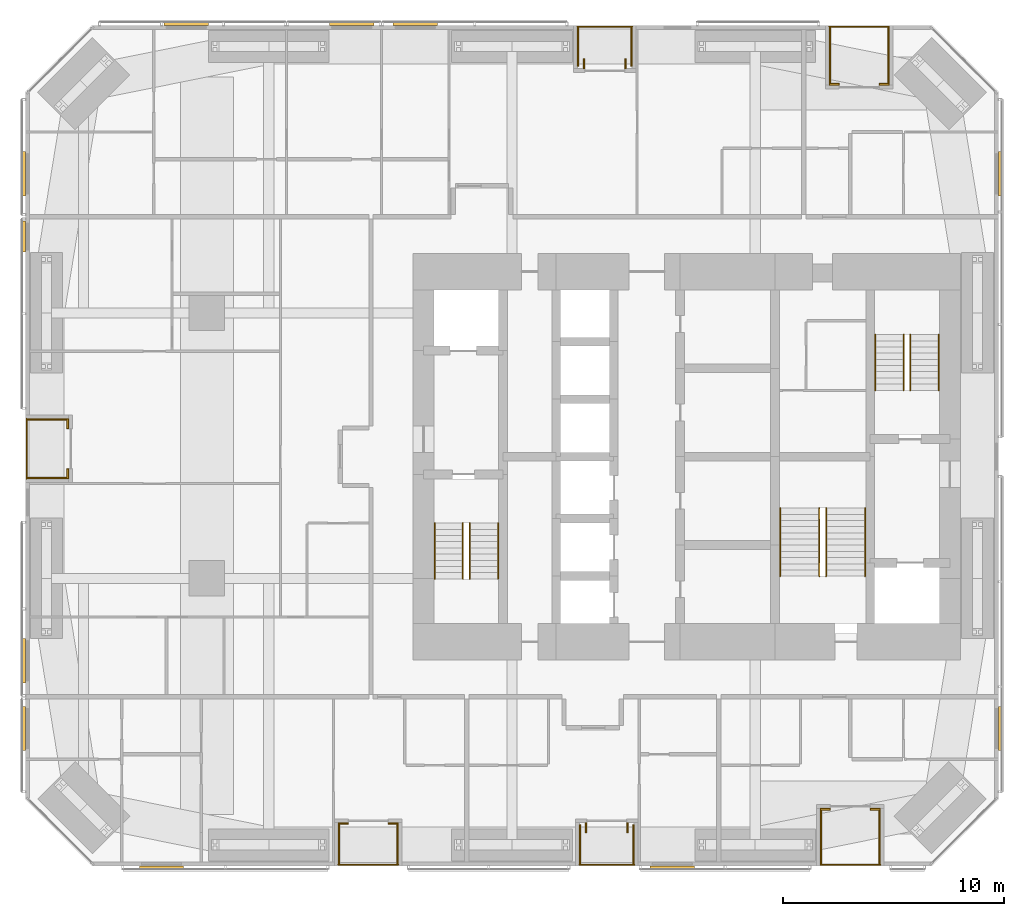
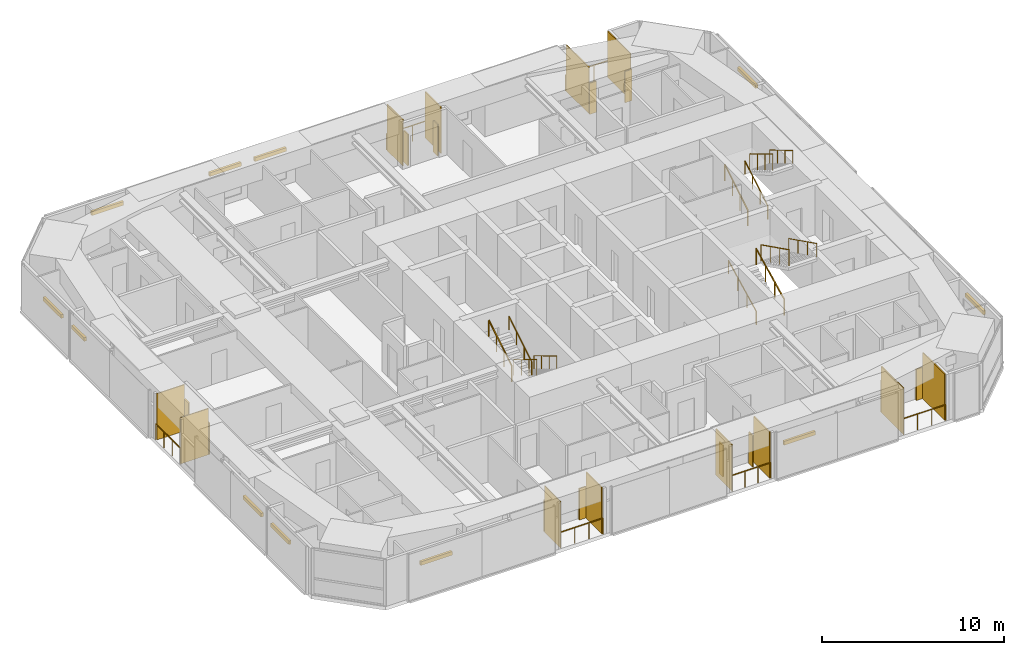
# One storey, part 23 of 23: 35 shading devices, 18 railings.
"""IFC4 building model written with IfcOpenShell, lengths in metres."""

from ifc_helpers import new_model, si_unit, direction, frame, origin, origin_2d, place, context, subcontext, project, spatial, rectangle, circle, extrude, material, layer, layer_set, constituent, constituent_set, type_object, element, save


model = new_model("IFC4")

# Units and contexts
model_context = context("Model", 3, precision=1e-05, world=origin(), true_north=direction((0.0, 1.0)))
body_context = subcontext(model_context, "Body", "Model", "MODEL_VIEW")
ifc_project = project(units=[si_unit("LENGTHUNIT", "METRE"), si_unit("AREAUNIT", "SQUARE_METRE"), si_unit("VOLUMEUNIT", "CUBIC_METRE"), si_unit("PLANEANGLEUNIT", "RADIAN"), si_unit("MASSUNIT", "GRAM", prefix="KILO")], contexts=[model_context])

# Site, building, storey
site_placement = place(None, origin())
site = spatial("IfcSite", under=ifc_project, at=site_placement, CompositionType="ELEMENT")
building_placement = place(site_placement, origin())
building = spatial("IfcBuilding", under=site, at=building_placement, Name="Jalousie Tower", CompositionType="ELEMENT")
storey_placement = place(building_placement, frame((0.0, 0.0, 27.699951171875)))
storey = spatial("IfcBuildingStorey", under=building, at=storey_placement, Name="L06", CompositionType="ELEMENT", Elevation=27.699951171875)

# Shading devices
ifc_material_1 = material(Name="Aluminium impact-rated louvred storm shutter", Category="aluminium")
shading_device_type_1 = type_object("IfcShadingDeviceType", Name="BI-FOLD STORM SHUTTER 900x2100", PredefinedType="SHUTTER", material=ifc_material_1)
for number, where, z_axis, x_axis, name in (
    (1, (16.375, 1.909912109375, 0.0), (0.0, 0.0, 1.0), (1.0, 0.0, 0.0), "Loggia storm shutter L06"),
    (2, (18.625, 1.909912109375, 0.0), (0.0, 0.0, 1.0), (1.0, 0.0, 0.0), "Loggia storm shutter L06"),
    (3, (27.347412109375, 1.72509765625, 0.0), (0.0, 0.0, 1.0), (0.0, 1.0, 0.0), "Loggia storm shutter L06"),
    (4, (29.2275390625, 1.72509765625, 0.0), (0.0, 0.0, 1.0), (0.0, 1.0, 0.0), "Loggia storm shutter L06"),
    (5, (38.175048828125, 2.56005859375, 0.0), (0.0, 0.0, 1.0), (1.0, 0.0, 0.0), "Loggia storm shutter L06"),
    (6, (40.425048828125, 2.56005859375, 0.0), (0.0, 0.0, 1.0), (1.0, 0.0, 0.0), "Loggia storm shutter L06"),
    (7, (40.82373046875, 35.340087890625, 0.0), (0.0, 0.0, 1.0), (-1.0, 0.0, 0.0), "Loggia storm shutter L06"),
    (8, (38.57373046875, 35.340087890625, 0.0), (0.0, 0.0, 1.0), (-1.0, 0.0, 0.0), "Loggia storm shutter L06"),
    (9, (29.1357421875, 36.27490234375, 0.0), (0.0, 0.0, 1.0), (0.0, -1.0, 0.0), "Loggia storm shutter L06"),
    (10, (27.255615234375, 36.27490234375, 0.0), (0.0, 0.0, 1.0), (0.0, -1.0, 0.0), "Loggia storm shutter L06"),
    (11, (3.909912109375, 19.987548828125, 0.0), (0.0, 0.0, 1.0), (0.0, -1.0, 0.0), "Loggia storm shutter L06"),
    (12, (3.909912109375, 17.737548828125, 0.0), (0.0, 0.0, 1.0), (0.0, -1.0, 0.0), "Loggia storm shutter L06"),
):
    element("IfcShadingDevice", number, at=place(storey_placement, frame(where, z_axis=z_axis, x_axis=x_axis)), inside=storey, type_object=shading_device_type_1, Name=name, PredefinedType="SHUTTER", context=body_context, shape_type="SweptSolid", body=[
        extrude(rectangle(XDim=0.449951171875, YDim=0.080078125, at=origin_2d()), origin(), (0.0, 0.0, 1.0), 2.10009765625),
    ])

# Railings
ifc_material_2 = material(Name="Powder-coated aluminium fretwork", Category="aluminium")
railing_type_1 = type_object("IfcRailingType", Name="FRETWORK BALUSTRADE 1100", PredefinedType="BALUSTRADE", material=ifc_material_2)
railing_1_placement = place(storey_placement, frame((16.14990234375, 0.050048828125, 0.0)))
element("IfcRailing", 13, at=railing_1_placement, inside=storey, type_object=railing_type_1, Name="Loggia fretwork balustrade L06", PredefinedType="BALUSTRADE", context=body_context, shape_type="SweptSolid", body=[
    extrude(rectangle(XDim=0.048095703125, YDim=0.048095703125, at=origin_2d()), frame((0.0, 0.0, 1.076171875), z_axis=(1.0, 0.0, 0.0), x_axis=(0.0, 1.0, 0.0)), (0.0, 0.0, 1.0), 2.7001953125),
    extrude(circle(Radius=0.02099609375, at=origin_2d()), origin(), (0.0, 0.0, 1.0), 1.052001953125),
    extrude(circle(Radius=0.02099609375, at=origin_2d()), frame((0.900146484375, 0.0, 0.0)), (0.0, 0.0, 1.0), 1.052001953125),
    extrude(circle(Radius=0.02099609375, at=origin_2d()), frame((1.800048828125, 0.0, 0.0)), (0.0, 0.0, 1.0), 1.052001953125),
    extrude(circle(Radius=0.02099609375, at=origin_2d()), frame((2.7001953125, 0.0, 0.0)), (0.0, 0.0, 1.0), 1.052001953125),
])
railing_2_placement = place(storey_placement, frame((27.050048828125, 0.050048828125, 0.0)))
element("IfcRailing", 14, at=railing_2_placement, inside=storey, type_object=railing_type_1, Name="Loggia fretwork balustrade L06", PredefinedType="BALUSTRADE", context=body_context, shape_type="SweptSolid", body=[
    extrude(rectangle(XDim=0.048095703125, YDim=0.048095703125, at=origin_2d()), frame((0.0, 0.0, 1.076171875), z_axis=(1.0, 0.0, 0.0), x_axis=(0.0, 1.0, 0.0)), (0.0, 0.0, 1.0), 2.474853515625),
    extrude(circle(Radius=0.02099609375, at=origin_2d()), origin(), (0.0, 0.0, 1.0), 1.052001953125),
    extrude(circle(Radius=0.02099609375, at=origin_2d()), frame((0.824951171875, 0.0, 0.0)), (0.0, 0.0, 1.0), 1.052001953125),
    extrude(circle(Radius=0.02099609375, at=origin_2d()), frame((1.64990234375, 0.0, 0.0)), (0.0, 0.0, 1.0), 1.052001953125),
    extrude(circle(Radius=0.02099609375, at=origin_2d()), frame((2.474853515625, 0.0, 0.0)), (0.0, 0.0, 1.0), 1.052001953125),
])
railing_3_placement = place(storey_placement, frame((37.949951171875, 0.050048828125, 0.0)))
element("IfcRailing", 15, at=railing_3_placement, inside=storey, type_object=railing_type_1, Name="Loggia fretwork balustrade L06", PredefinedType="BALUSTRADE", context=body_context, shape_type="SweptSolid", body=[
    extrude(rectangle(XDim=0.048095703125, YDim=0.048095703125, at=origin_2d()), frame((0.0, 0.0, 1.076171875), z_axis=(1.0, 0.0, 0.0), x_axis=(0.0, 1.0, 0.0)), (0.0, 0.0, 1.0), 2.699951171875),
    extrude(circle(Radius=0.02099609375, at=origin_2d()), origin(), (0.0, 0.0, 1.0), 1.052001953125),
    extrude(circle(Radius=0.02099609375, at=origin_2d()), frame((0.89990234375, 0.0, 0.0)), (0.0, 0.0, 1.0), 1.052001953125),
    extrude(circle(Radius=0.02099609375, at=origin_2d()), frame((1.800048828125, 0.0, 0.0)), (0.0, 0.0, 1.0), 1.052001953125),
    extrude(circle(Radius=0.02099609375, at=origin_2d()), frame((2.699951171875, 0.0, 0.0)), (0.0, 0.0, 1.0), 1.052001953125),
])
railing_4_placement = place(storey_placement, frame((41.048583984375, 37.949951171875, 0.0)))
element("IfcRailing", 16, at=railing_4_placement, inside=storey, type_object=railing_type_1, Name="Loggia fretwork balustrade L06", PredefinedType="BALUSTRADE", context=body_context, shape_type="SweptSolid", body=[
    extrude(rectangle(XDim=0.048095703125, YDim=0.048095703125, at=origin_2d()), frame((0.0, 0.0, 1.076171875), z_axis=(-1.0, 0.0, 0.0), x_axis=(0.0, -1.0, 0.0)), (0.0, 0.0, 1.0), 2.699951171875),
    extrude(circle(Radius=0.02099609375, at=origin_2d()), origin(), (0.0, 0.0, 1.0), 1.052001953125),
    extrude(circle(Radius=0.02099609375, at=origin_2d()), frame((-0.89990234375, 0.0, 0.0)), (0.0, 0.0, 1.0), 1.052001953125),
    extrude(circle(Radius=0.02099609375, at=origin_2d()), frame((-1.800048828125, 0.0, 0.0)), (0.0, 0.0, 1.0), 1.052001953125),
    extrude(circle(Radius=0.02099609375, at=origin_2d()), frame((-2.699951171875, 0.0, 0.0)), (0.0, 0.0, 1.0), 1.052001953125),
])
railing_5_placement = place(storey_placement, frame((29.43310546875, 37.949951171875, 0.0)))
element("IfcRailing", 17, at=railing_5_placement, inside=storey, type_object=railing_type_1, Name="Loggia fretwork balustrade L06", PredefinedType="BALUSTRADE", context=body_context, shape_type="SweptSolid", body=[
    extrude(rectangle(XDim=0.048095703125, YDim=0.048095703125, at=origin_2d()), frame((0.0, 0.0, 1.076171875), z_axis=(-1.0, 0.0, 0.0), x_axis=(0.0, -1.0, 0.0)), (0.0, 0.0, 1.0), 2.474853515625),
    extrude(circle(Radius=0.02099609375, at=origin_2d()), origin(), (0.0, 0.0, 1.0), 1.052001953125),
    extrude(circle(Radius=0.02099609375, at=origin_2d()), frame((-0.824951171875, 0.0, 0.0)), (0.0, 0.0, 1.0), 1.052001953125),
    extrude(circle(Radius=0.02099609375, at=origin_2d()), frame((-1.64990234375, 0.0, 0.0)), (0.0, 0.0, 1.0), 1.052001953125),
    extrude(circle(Radius=0.02099609375, at=origin_2d()), frame((-2.474853515625, 0.0, 0.0)), (0.0, 0.0, 1.0), 1.052001953125),
])
railing_6_placement = place(storey_placement, frame((2.050048828125, 20.216796875, 0.0)))
element("IfcRailing", 18, at=railing_6_placement, inside=storey, type_object=railing_type_1, Name="Loggia fretwork balustrade L06", PredefinedType="BALUSTRADE", context=body_context, shape_type="SweptSolid", body=[
    extrude(rectangle(XDim=0.048095703125, YDim=0.048095703125, at=origin_2d()), frame((0.0, 0.0, 1.076171875), z_axis=(0.0, -1.0, 0.0), x_axis=(1.0, 0.0, 0.0)), (0.0, 0.0, 1.0), 2.70849609375),
    extrude(circle(Radius=0.02099609375, at=origin_2d()), origin(), (0.0, 0.0, 1.0), 1.052001953125),
    extrude(circle(Radius=0.02099609375, at=origin_2d()), frame((0.0, -0.90283203125, 0.0)), (0.0, 0.0, 1.0), 1.052001953125),
    extrude(circle(Radius=0.02099609375, at=origin_2d()), frame((0.0, -1.8056640625, 0.0)), (0.0, 0.0, 1.0), 1.052001953125),
    extrude(circle(Radius=0.02099609375, at=origin_2d()), frame((0.0, -2.70849609375, 0.0)), (0.0, 0.0, 1.0), 1.052001953125),
])

# Shading devices
ifc_material_3 = material(Name="Powder-coated aluminium louvres", Category="aluminium")
ifc_layer = layer(ifc_material_3, 0.06005859375)
ifc_layer_set = layer_set([ifc_layer], Name="Powder-coated aluminium louvres")
shading_device_type_2 = type_object("IfcShadingDeviceType", Name="JALOUSIE LOUVRE SCREEN", PredefinedType="JALOUSIE", material=ifc_layer_set)
for number, where, z_axis, x_axis, name in (
    (19, (16.179931640625, 0.97509765625, 0.0), (0.0, 0.0, 1.0), (1.0, 0.0, 0.0), "Loggia jalousie louvre screen L06"),
    (20, (18.820068359375, 0.97509765625, 0.0), (0.0, 0.0, 1.0), (1.0, 0.0, 0.0), "Loggia jalousie louvre screen L06"),
    (21, (27.080078125, 0.97509765625, 0.0), (0.0, 0.0, 1.0), (1.0, 0.0, 0.0), "Loggia jalousie louvre screen L06"),
    (22, (29.4951171875, 0.97509765625, 0.0), (0.0, 0.0, 1.0), (1.0, 0.0, 0.0), "Loggia jalousie louvre screen L06"),
):
    element("IfcShadingDevice", number, at=place(storey_placement, frame(where, z_axis=z_axis, x_axis=x_axis)), inside=storey, type_object=shading_device_type_2, Name=name, PredefinedType="JALOUSIE", context=body_context, shape_type="SweptSolid", body=[
        extrude(rectangle(XDim=0.06005859375, YDim=1.75, at=origin_2d()), origin(), (0.0, 0.0, 1.0), 3.110107421875),
    ])
for number, where, z_axis, x_axis, name in (
    (23, (37.97998046875, 1.300048828125, 0.0), (0.0, 0.0, 1.0), (1.0, 0.0, 0.0), "Loggia jalousie louvre screen L06"),
    (24, (40.6201171875, 1.300048828125, 0.0), (0.0, 0.0, 1.0), (1.0, 0.0, 0.0), "Loggia jalousie louvre screen L06"),
):
    element("IfcShadingDevice", number, at=place(storey_placement, frame(where, z_axis=z_axis, x_axis=x_axis)), inside=storey, type_object=shading_device_type_2, Name=name, PredefinedType="JALOUSIE", context=body_context, shape_type="SweptSolid", body=[
        extrude(rectangle(XDim=0.06005859375, YDim=2.39990234375, at=origin_2d()), origin(), (0.0, 0.0, 1.0), 3.110107421875),
    ])
for number, where, z_axis, x_axis, name in (
    (25, (41.018798828125, 36.64990234375, 0.0), (0.0, 0.0, 1.0), (-1.0, 0.0, 0.0), "Loggia jalousie louvre screen L06"),
    (26, (38.378662109375, 36.64990234375, 0.0), (0.0, 0.0, 1.0), (-1.0, 0.0, 0.0), "Loggia jalousie louvre screen L06"),
):
    element("IfcShadingDevice", number, at=place(storey_placement, frame(where, z_axis=z_axis, x_axis=x_axis)), inside=storey, type_object=shading_device_type_2, Name=name, PredefinedType="JALOUSIE", context=body_context, shape_type="SweptSolid", body=[
        extrude(rectangle(XDim=0.06005859375, YDim=2.5, at=origin_2d()), origin(), (0.0, 0.0, 1.0), 3.110107421875),
    ])
for number, where, z_axis, x_axis, name in (
    (27, (29.4033203125, 37.02490234375, 0.0), (0.0, 0.0, 1.0), (-1.0, 0.0, 0.0), "Loggia jalousie louvre screen L06"),
    (28, (26.98828125, 37.02490234375, 0.0), (0.0, 0.0, 1.0), (-1.0, 0.0, 0.0), "Loggia jalousie louvre screen L06"),
    (29, (2.97509765625, 20.186767578125, 0.0), (0.0, 0.0, 1.0), (0.0, -1.0, 0.0), "Loggia jalousie louvre screen L06"),
    (30, (2.97509765625, 17.538330078125, 0.0), (0.0, 0.0, 1.0), (0.0, -1.0, 0.0), "Loggia jalousie louvre screen L06"),
):
    element("IfcShadingDevice", number, at=place(storey_placement, frame(where, z_axis=z_axis, x_axis=x_axis)), inside=storey, type_object=shading_device_type_2, Name=name, PredefinedType="JALOUSIE", context=body_context, shape_type="SweptSolid", body=[
        extrude(rectangle(XDim=0.06005859375, YDim=1.75, at=origin_2d()), origin(), (0.0, 0.0, 1.0), 3.110107421875),
    ])

# Railings
ifc_material_4 = material(Name="Steel ASTM A500 Grade C", Category="steel")
ifc_constituent_1 = constituent(ifc_material_4, Name="Body")
ifc_material_5 = material(Name="Hot-dip galvanised zinc coating")
ifc_constituent_2 = constituent(ifc_material_5, Name="Finish")
ifc_constituent_set_1 = constituent_set(constituents=[ifc_constituent_1, ifc_constituent_2])
railing_type_2 = type_object("IfcRailingType", Name="STAIR GUARD 1100", PredefinedType="GUARDRAIL", material=ifc_constituent_set_1)
railing_7_placement = place(storey_placement, frame((22.092529296875, 15.49755859375, 0.16748046875)))
element("IfcRailing", 31, at=railing_7_placement, inside=storey, type_object=railing_type_2, Name="Exit stair A guard L06 flight 1", PredefinedType="GUARDRAIL", context=body_context, shape_type="SweptSolid", body=[
    extrude(rectangle(XDim=0.048095703125, YDim=0.048095703125, at=origin_2d()), frame((0.0, 0.0, 1.076171875), z_axis=(0.0, -0.858159760407, 0.513382728203), x_axis=(1.0, 0.0, 0.0)), (0.0, 0.0, 1.0), 2.9365234375),
    extrude(circle(Radius=0.02099609375, at=origin_2d()), origin(), (0.0, 0.0, 1.0), 1.052001953125),
    extrude(circle(Radius=0.02099609375, at=origin_2d()), frame((0.0, -0.840087890625, 0.50244140625)), (0.0, 0.0, 1.0), 1.052001953125),
    extrude(circle(Radius=0.02099609375, at=origin_2d()), frame((0.0, -1.679931640625, 1.005126953125)), (0.0, 0.0, 1.0), 1.052001953125),
    extrude(circle(Radius=0.02099609375, at=origin_2d()), frame((0.0, -2.52001953125, 1.507568359375)), (0.0, 0.0, 1.0), 1.052001953125),
])
for number, where, name in (
    (32, (20.5048828125, 12.9775390625, 1.842529296875), "Exit stair A guard L06 flight 2"),
    (33, (40.43017578125, 21.50244140625, 0.16748046875), "Exit stair B guard L06 flight 1"),
):
    element("IfcRailing", number, at=place(storey_placement, frame(where)), inside=storey, type_object=railing_type_2, Name=name, PredefinedType="GUARDRAIL", context=body_context, shape_type="SweptSolid", body=[
        extrude(rectangle(XDim=0.048095703125, YDim=0.048095703125, at=origin_2d()), frame((0.0, 0.0, 1.076171875), z_axis=(0.0, 0.858159760407, 0.513382728203), x_axis=(-1.0, 0.0, 0.0)), (0.0, 0.0, 1.0), 2.9365234375),
        extrude(circle(Radius=0.02099609375, at=origin_2d()), origin(), (0.0, 0.0, 1.0), 1.052001953125),
        extrude(circle(Radius=0.02099609375, at=origin_2d()), frame((0.0, 0.840087890625, 0.50244140625)), (0.0, 0.0, 1.0), 1.052001953125),
        extrude(circle(Radius=0.02099609375, at=origin_2d()), frame((0.0, 1.679931640625, 1.005126953125)), (0.0, 0.0, 1.0), 1.052001953125),
        extrude(circle(Radius=0.02099609375, at=origin_2d()), frame((0.0, 2.52001953125, 1.507568359375)), (0.0, 0.0, 1.0), 1.052001953125),
    ])
railing_8_placement = place(storey_placement, frame((42.017578125, 24.0224609375, 1.842529296875)))
element("IfcRailing", 34, at=railing_8_placement, inside=storey, type_object=railing_type_2, Name="Exit stair B guard L06 flight 2", PredefinedType="GUARDRAIL", context=body_context, shape_type="SweptSolid", body=[
    extrude(rectangle(XDim=0.048095703125, YDim=0.048095703125, at=origin_2d()), frame((0.0, 0.0, 1.076171875), z_axis=(0.0, -0.858159760407, 0.513382728203), x_axis=(1.0, 0.0, 0.0)), (0.0, 0.0, 1.0), 2.9365234375),
    extrude(circle(Radius=0.02099609375, at=origin_2d()), origin(), (0.0, 0.0, 1.0), 1.052001953125),
    extrude(circle(Radius=0.02099609375, at=origin_2d()), frame((0.0, -0.840087890625, 0.50244140625)), (0.0, 0.0, 1.0), 1.052001953125),
    extrude(circle(Radius=0.02099609375, at=origin_2d()), frame((0.0, -1.679931640625, 1.005126953125)), (0.0, 0.0, 1.0), 1.052001953125),
    extrude(circle(Radius=0.02099609375, at=origin_2d()), frame((0.0, -2.52001953125, 1.507568359375)), (0.0, 0.0, 1.0), 1.052001953125),
])
railing_9_placement = place(storey_placement, frame((37.89501953125, 13.097412109375, 0.1396484375)))
element("IfcRailing", 35, at=railing_9_placement, inside=storey, type_object=railing_type_2, Name="Exit stair C guard L06 flight 1", PredefinedType="GUARDRAIL", context=body_context, shape_type="SweptSolid", body=[
    extrude(rectangle(XDim=0.048095703125, YDim=0.048095703125, at=origin_2d()), frame((0.0, 0.0, 1.076171875), z_axis=(0.0, 0.894965676997, 0.446134998624), x_axis=(-1.0, 0.0, 0.0)), (0.0, 0.0, 1.0), 3.441650390625),
    extrude(circle(Radius=0.02099609375, at=origin_2d()), origin(), (0.0, 0.0, 1.0), 1.052001953125),
    extrude(circle(Radius=0.02099609375, at=origin_2d()), frame((0.0, 1.026611328125, 0.51171875)), (0.0, 0.0, 1.0), 1.052001953125),
    extrude(circle(Radius=0.02099609375, at=origin_2d()), frame((0.0, 2.053466796875, 1.023681640625)), (0.0, 0.0, 1.0), 1.052001953125),
    extrude(circle(Radius=0.02099609375, at=origin_2d()), frame((0.0, 3.080078125, 1.535400390625)), (0.0, 0.0, 1.0), 1.052001953125),
])
railing_10_placement = place(storey_placement, frame((38.205078125, 16.177490234375, 1.814697265625)))
element("IfcRailing", 36, at=railing_10_placement, inside=storey, type_object=railing_type_2, Name="Exit stair C guard L06 flight 2", PredefinedType="GUARDRAIL", context=body_context, shape_type="SweptSolid", body=[
    extrude(rectangle(XDim=0.048095703125, YDim=0.048095703125, at=origin_2d()), frame((0.0, 0.0, 1.076171875), z_axis=(0.0, -0.894965676997, 0.446134998624), x_axis=(1.0, 0.0, 0.0)), (0.0, 0.0, 1.0), 3.441650390625),
    extrude(circle(Radius=0.02099609375, at=origin_2d()), origin(), (0.0, 0.0, 1.0), 1.052001953125),
    extrude(circle(Radius=0.02099609375, at=origin_2d()), frame((0.0, -1.026611328125, 0.51171875)), (0.0, 0.0, 1.0), 1.052001953125),
    extrude(circle(Radius=0.02099609375, at=origin_2d()), frame((0.0, -2.053466796875, 1.023681640625)), (0.0, 0.0, 1.0), 1.052001953125),
    extrude(circle(Radius=0.02099609375, at=origin_2d()), frame((0.0, -3.080078125, 1.535400390625)), (0.0, 0.0, 1.0), 1.052001953125),
])
ifc_material_6 = material(Name="Steel ASTM A500 Grade C", Category="steel")
ifc_constituent_3 = constituent(ifc_material_6, Name="Body")
ifc_material_7 = material(Name="Hot-dip galvanised zinc coating")
ifc_constituent_4 = constituent(ifc_material_7, Name="Finish")
ifc_constituent_set_2 = constituent_set(constituents=[ifc_constituent_3, ifc_constituent_4])
railing_type_3 = type_object("IfcRailingType", Name="STAIR HANDRAIL 900", PredefinedType="HANDRAIL", material=ifc_constituent_set_2)
railing_11_placement = place(storey_placement, frame((23.3701171875, 15.49755859375, 0.16748046875)))
element("IfcRailing", 37, at=railing_11_placement, inside=storey, type_object=railing_type_3, Name="Exit stair A handrail L06 flight 1", PredefinedType="HANDRAIL", context=body_context, shape_type="SweptSolid", body=[
    extrude(circle(Radius=0.02392578125, at=origin_2d()), frame((0.0, 0.0, 0.8759765625), z_axis=(0.0, -0.858159760407, 0.513382728203), x_axis=(1.0, 0.0, 0.0)), (0.0, 0.0, 1.0), 2.9365234375),
    extrude(circle(Radius=0.02099609375, at=origin_2d()), origin(), (0.0, 0.0, 1.0), 0.851806640625),
    extrude(circle(Radius=0.02099609375, at=origin_2d()), frame((0.0, -0.840087890625, 0.50244140625)), (0.0, 0.0, 1.0), 0.851806640625),
    extrude(circle(Radius=0.02099609375, at=origin_2d()), frame((0.0, -1.679931640625, 1.005126953125)), (0.0, 0.0, 1.0), 0.851806640625),
    extrude(circle(Radius=0.02099609375, at=origin_2d()), frame((0.0, -2.52001953125, 1.507568359375)), (0.0, 0.0, 1.0), 0.851806640625),
])
for number, where, name in (
    (38, (21.78271484375, 12.9775390625, 1.842529296875), "Exit stair A handrail L06 flight 2"),
    (39, (41.70751953125, 21.50244140625, 0.16748046875), "Exit stair B handrail L06 flight 1"),
):
    element("IfcRailing", number, at=place(storey_placement, frame(where)), inside=storey, type_object=railing_type_3, Name=name, PredefinedType="HANDRAIL", context=body_context, shape_type="SweptSolid", body=[
        extrude(circle(Radius=0.02392578125, at=origin_2d()), frame((0.0, 0.0, 0.8759765625), z_axis=(0.0, 0.858159760407, 0.513382728203), x_axis=(-1.0, 0.0, 0.0)), (0.0, 0.0, 1.0), 2.9365234375),
        extrude(circle(Radius=0.02099609375, at=origin_2d()), origin(), (0.0, 0.0, 1.0), 0.851806640625),
        extrude(circle(Radius=0.02099609375, at=origin_2d()), frame((0.0, 0.840087890625, 0.50244140625)), (0.0, 0.0, 1.0), 0.851806640625),
        extrude(circle(Radius=0.02099609375, at=origin_2d()), frame((0.0, 1.679931640625, 1.005126953125)), (0.0, 0.0, 1.0), 0.851806640625),
        extrude(circle(Radius=0.02099609375, at=origin_2d()), frame((0.0, 2.52001953125, 1.507568359375)), (0.0, 0.0, 1.0), 0.851806640625),
    ])
railing_12_placement = place(storey_placement, frame((43.294921875, 24.0224609375, 1.842529296875)))
element("IfcRailing", 40, at=railing_12_placement, inside=storey, type_object=railing_type_3, Name="Exit stair B handrail L06 flight 2", PredefinedType="HANDRAIL", context=body_context, shape_type="SweptSolid", body=[
    extrude(circle(Radius=0.02392578125, at=origin_2d()), frame((0.0, 0.0, 0.8759765625), z_axis=(0.0, -0.858159760407, 0.513382728203), x_axis=(1.0, 0.0, 0.0)), (0.0, 0.0, 1.0), 2.9365234375),
    extrude(circle(Radius=0.02099609375, at=origin_2d()), origin(), (0.0, 0.0, 1.0), 0.851806640625),
    extrude(circle(Radius=0.02099609375, at=origin_2d()), frame((0.0, -0.840087890625, 0.50244140625)), (0.0, 0.0, 1.0), 0.851806640625),
    extrude(circle(Radius=0.02099609375, at=origin_2d()), frame((0.0, -1.679931640625, 1.005126953125)), (0.0, 0.0, 1.0), 0.851806640625),
    extrude(circle(Radius=0.02099609375, at=origin_2d()), frame((0.0, -2.52001953125, 1.507568359375)), (0.0, 0.0, 1.0), 0.851806640625),
])
railing_13_placement = place(storey_placement, frame((36.1298828125, 13.097412109375, 0.1396484375)))
element("IfcRailing", 41, at=railing_13_placement, inside=storey, type_object=railing_type_3, Name="Exit stair C handrail L06 flight 1", PredefinedType="HANDRAIL", context=body_context, shape_type="SweptSolid", body=[
    extrude(circle(Radius=0.02392578125, at=origin_2d()), frame((0.0, 0.0, 0.8759765625), z_axis=(0.0, 0.894965676997, 0.446134998624), x_axis=(-1.0, 0.0, 0.0)), (0.0, 0.0, 1.0), 3.441650390625),
    extrude(circle(Radius=0.02099609375, at=origin_2d()), origin(), (0.0, 0.0, 1.0), 0.851806640625),
    extrude(circle(Radius=0.02099609375, at=origin_2d()), frame((0.0, 1.026611328125, 0.51171875)), (0.0, 0.0, 1.0), 0.851806640625),
    extrude(circle(Radius=0.02099609375, at=origin_2d()), frame((0.0, 2.053466796875, 1.023681640625)), (0.0, 0.0, 1.0), 0.851806640625),
    extrude(circle(Radius=0.02099609375, at=origin_2d()), frame((0.0, 3.080078125, 1.535400390625)), (0.0, 0.0, 1.0), 0.851806640625),
])
railing_14_placement = place(storey_placement, frame((39.969970703125, 16.177490234375, 1.814697265625)))
element("IfcRailing", 42, at=railing_14_placement, inside=storey, type_object=railing_type_3, Name="Exit stair C handrail L06 flight 2", PredefinedType="HANDRAIL", context=body_context, shape_type="SweptSolid", body=[
    extrude(circle(Radius=0.02392578125, at=origin_2d()), frame((0.0, 0.0, 0.8759765625), z_axis=(0.0, -0.894965676997, 0.446134998624), x_axis=(1.0, 0.0, 0.0)), (0.0, 0.0, 1.0), 3.441650390625),
    extrude(circle(Radius=0.02099609375, at=origin_2d()), origin(), (0.0, 0.0, 1.0), 0.851806640625),
    extrude(circle(Radius=0.02099609375, at=origin_2d()), frame((0.0, -1.026611328125, 0.51171875)), (0.0, 0.0, 1.0), 0.851806640625),
    extrude(circle(Radius=0.02099609375, at=origin_2d()), frame((0.0, -2.053466796875, 1.023681640625)), (0.0, 0.0, 1.0), 0.851806640625),
    extrude(circle(Radius=0.02099609375, at=origin_2d()), frame((0.0, -3.080078125, 1.535400390625)), (0.0, 0.0, 1.0), 0.851806640625),
])

# Shading devices
ifc_material_8 = material(Name="Aluminium roller storm shutter", Category="aluminium")
shading_device_type_3 = type_object("IfcShadingDeviceType", Name="STORM SHUTTER HOUSING", PredefinedType="SHUTTER", material=ifc_material_8)
for number, where, z_axis, x_axis, name in (
    (43, (8.14990234375, -0.074951171875, 2.10009765625), (0.0, 0.0, 1.0), (1.0, 0.0, 0.0), "Storm shutter L06"),
    (44, (31.25, -0.074951171875, 2.10009765625), (0.0, 0.0, 1.0), (1.0, 0.0, 0.0), "Storm shutter L06"),
    (45, (46.074951171875, 6.208740234375, 2.10009765625), (0.0, 0.0, 1.0), (0.0, 1.0, 0.0), "Storm shutter L06"),
    (46, (46.074951171875, 31.291259765625, 2.10009765625), (0.0, 0.0, 1.0), (0.0, 1.0, 0.0), "Storm shutter L06"),
    (47, (19.625, 38.074951171875, 2.10009765625), (0.0, 0.0, 1.0), (-1.0, 0.0, 0.0), "Storm shutter L06"),
    (48, (16.757568359375, 38.074951171875, 2.10009765625), (0.0, 0.0, 1.0), (-1.0, 0.0, 0.0), "Storm shutter L06"),
    (49, (9.27001953125, 38.074951171875, 2.10009765625), (0.0, 0.0, 1.0), (-1.0, 0.0, 0.0), "Storm shutter L06"),
    (50, (1.925048828125, 31.291259765625, 2.10009765625), (0.0, 0.0, 1.0), (0.0, -1.0, 0.0), "Storm shutter L06"),
):
    element("IfcShadingDevice", number, at=place(storey_placement, frame(where, z_axis=z_axis, x_axis=x_axis)), inside=storey, type_object=shading_device_type_3, Name=name, PredefinedType="SHUTTER", context=body_context, shape_type="SweptSolid", body=[
        extrude(rectangle(XDim=2.0, YDim=0.14990234375, at=origin_2d()), origin(), (0.0, 0.0, 1.0), 0.25),
    ])
shading_device_placement = place(storey_placement, frame((1.925048828125, 28.449951171875, 2.10009765625), z_axis=(0.0, 0.0, 1.0), x_axis=(0.0, -1.0, 0.0)))
element("IfcShadingDevice", 51, at=shading_device_placement, inside=storey, type_object=shading_device_type_3, Name="Storm shutter L06", PredefinedType="SHUTTER", context=body_context, shape_type="SweptSolid", body=[
    extrude(rectangle(XDim=1.39990234375, YDim=0.14990234375, at=origin_2d()), origin(), (0.0, 0.0, 1.0), 0.25),
])
for number, where, z_axis, x_axis, name in (
    (52, (1.925048828125, 9.27490234375, 2.10009765625), (0.0, 0.0, 1.0), (0.0, -1.0, 0.0), "Storm shutter L06"),
    (53, (1.925048828125, 6.208740234375, 2.10009765625), (0.0, 0.0, 1.0), (0.0, -1.0, 0.0), "Storm shutter L06"),
):
    element("IfcShadingDevice", number, at=place(storey_placement, frame(where, z_axis=z_axis, x_axis=x_axis)), inside=storey, type_object=shading_device_type_3, Name=name, PredefinedType="SHUTTER", context=body_context, shape_type="SweptSolid", body=[
        extrude(rectangle(XDim=2.0, YDim=0.14990234375, at=origin_2d()), origin(), (0.0, 0.0, 1.0), 0.25),
    ])

save(model, "model.ifc")
